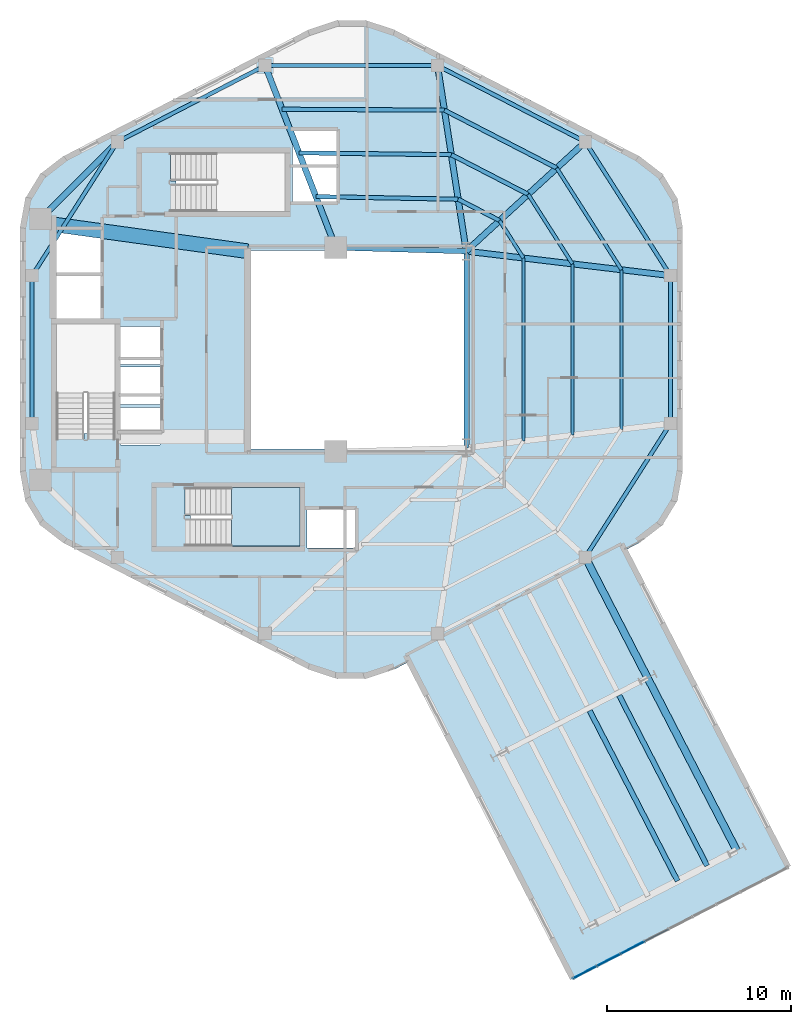
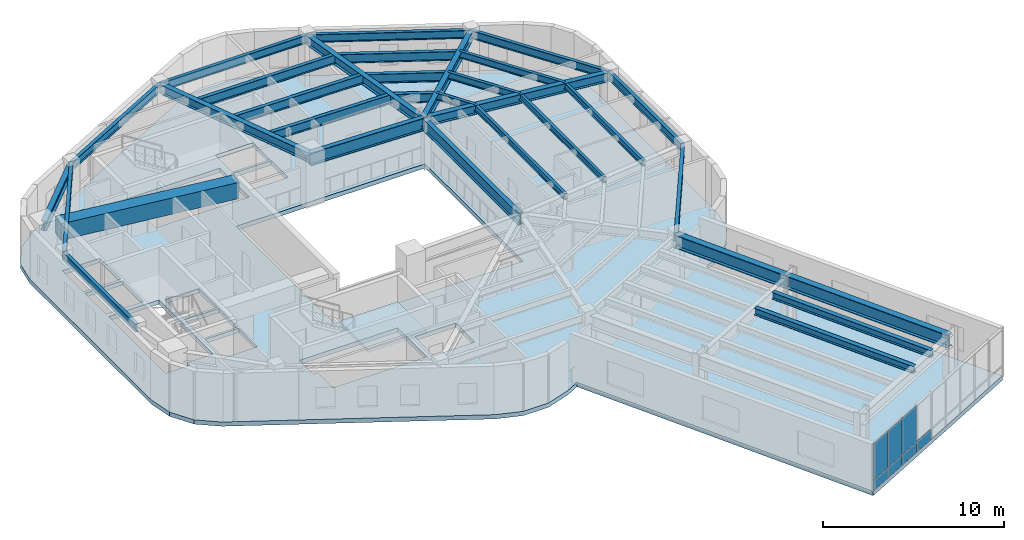
# One storey, part 5 of 10: 32 beams, 7 plates, 2 slabs, 2 elements without a shape of their own.
"""IFC4 building model written with IfcOpenShell, lengths in metres."""

from ifc_helpers import new_model, si_unit, direction, frame, origin, origin_2d, place, context, subcontext, project, spatial, polyline, rectangle, i_section, outline, extrude, material, layer, layer_set, material_profile, profile_set, type_object, element, aggregate, save


model = new_model("IFC4")

# Units and contexts
model_context = context("Model", 3, precision=1e-05, world=origin(), true_north=direction((0.0, 1.0)))
body_context = subcontext(model_context, "Body", "Model", "MODEL_VIEW")
ifc_project = project(units=[si_unit("LENGTHUNIT", "METRE"), si_unit("AREAUNIT", "SQUARE_METRE"), si_unit("VOLUMEUNIT", "CUBIC_METRE"), si_unit("PLANEANGLEUNIT", "RADIAN"), si_unit("MASSUNIT", "GRAM", prefix="KILO"), si_unit("THERMODYNAMICTEMPERATUREUNIT", "KELVIN"), si_unit("POWERUNIT", "WATT")], contexts=[model_context])

# Site, building, storey
site_placement = place(None, origin())
site = spatial("IfcSite", under=ifc_project, at=site_placement, CompositionType="ELEMENT")
building_placement = place(site_placement, origin())
building = spatial("IfcBuilding", under=site, at=building_placement, Name="Skarre Station Tower", CompositionType="ELEMENT")
storey_placement = place(building_placement, frame((0.0, 0.0, 234.800048828125)))
storey = spatial("IfcBuildingStorey", under=building, at=storey_placement, Name="L64", CompositionType="ELEMENT", Elevation=234.800048828125)

# Beams
ifc_material_1 = material(Name="Concrete C70/85", Category="concrete")
ifc_material_profile_1 = material_profile(ifc_material_1, rectangle(XDim=0.800048828125, YDim=1.10009765625, at=origin_2d()), Name="Concrete C70/85")
ifc_profile_set_1 = profile_set([ifc_material_profile_1], Name="Concrete C70/85")
beam_type_1 = type_object("IfcBeamType", Name="RC Core Coupling Lintel 800x1100", PredefinedType="LINTEL", material=ifc_profile_set_1)
beam_1_placement = place(storey_placement, frame((17.050048828125, 30.800048828125, 2.7099609375), z_axis=(0.990599723633, -0.136792498109, 0.0), x_axis=(0.136792498109, 0.990599723633, 0.0)))
element("IfcBeam", 1, at=beam_1_placement, inside=storey, type_object=beam_type_1, Name="L64 North Core Coupling Lintel", PredefinedType="LINTEL", context=body_context, shape_type="SweptSolid", body=[
    extrude(rectangle(XDim=0.800048828125, YDim=1.10009765625, at=origin_2d()), origin(), (0.0, 0.0, 1.0), 10.599609375),
])
ifc_material_2 = material(Name="Steel ASTM A992 Grade 50", Category="steel")
ifc_material_profile_2 = material_profile(ifc_material_2, i_section(OverallWidth=0.323974609375, OverallDepth=0.611083984375, WebThickness=0.012939453125, FlangeThickness=0.01904296875, at=origin_2d()), Name="Steel ASTM A992 Grade 50")
ifc_profile_set_2 = profile_set([ifc_material_profile_2], Name="Steel ASTM A992 Grade 50")
beam_type_2 = type_object("IfcBeamType", Name="Steel Beam W24X104", PredefinedType="BEAM", material=ifc_profile_set_2)
beam_2_placement = place(storey_placement, frame((39.449951171875, 29.35009765625, 2.954833984375), z_axis=(0.736547671183, 0.676385635621, 0.0), x_axis=(-0.676385635621, 0.736547671183, 0.0)))
element("IfcBeam", 2, at=beam_2_placement, inside=storey, type_object=beam_type_2, Name="L64 Radial Floor Girder F0C1", PredefinedType="BEAM", context=body_context, shape_type="SweptSolid", body=[
    extrude(i_section(OverallWidth=0.323974609375, OverallDepth=0.611083984375, WebThickness=0.012939453125, FlangeThickness=0.01904296875, at=origin_2d()), origin(), (0.0, 0.0, 1.0), 8.793701171875),
])
beam_3_placement = place(storey_placement, frame((39.449951171875, 29.35009765625, 2.954833984375), z_axis=(-0.152789762931, 0.988258715288, 0.0), x_axis=(-0.988258715288, -0.152789762931, 0.0)))
element("IfcBeam", 3, at=beam_3_placement, inside=storey, type_object=beam_type_2, Name="L64 Radial Floor Girder F0C2", PredefinedType="BEAM", context=body_context, shape_type="SweptSolid", body=[
    extrude(i_section(OverallWidth=0.323974609375, OverallDepth=0.611083984375, WebThickness=0.012939453125, FlangeThickness=0.01904296875, at=origin_2d()), origin(), (0.0, 0.0, 1.0), 10.216796875),
])
beam_4_placement = place(storey_placement, frame((32.35009765625, 29.550048828125, 2.954833984375), z_axis=(-0.361651478681, 0.932313363611, 0.0), x_axis=(-0.932313363611, -0.361651478681, 0.0)))
element("IfcBeam", 4, at=beam_4_placement, inside=storey, type_object=beam_type_2, Name="L64 Radial Floor Girder F1C1", PredefinedType="BEAM", context=body_context, shape_type="SweptSolid", body=[
    extrude(i_section(OverallWidth=0.323974609375, OverallDepth=0.611083984375, WebThickness=0.012939453125, FlangeThickness=0.01904296875, at=origin_2d()), origin(), (0.0, 0.0, 1.0), 10.615478515625),
])
beam_5_placement = place(storey_placement, frame((16.300048828125, 31.10009765625, 2.954833984375), z_axis=(0.704979413242, 0.709227768002, 0.0), x_axis=(-0.709227768002, 0.704979413242, 0.0)))
element("IfcBeam", 5, at=beam_5_placement, inside=storey, type_object=beam_type_2, Name="L64 Radial Floor Girder F1C2", PredefinedType="BEAM", context=body_context, shape_type="SweptSolid", body=[
    extrude(i_section(OverallWidth=0.323974609375, OverallDepth=0.611083984375, WebThickness=0.012939453125, FlangeThickness=0.01904296875, at=origin_2d()), origin(), (0.0, 0.0, 1.0), 5.919189453125),
])
beam_6_placement = place(storey_placement, frame((39.449951171875, 29.35009765625, 2.954833984375), z_axis=(0.99292393128, -0.118752122891, 0.0), x_axis=(0.118752122891, 0.99292393128, 0.0)))
element("IfcBeam", 6, at=beam_6_placement, inside=storey, type_object=beam_type_2, Name="L64 Radial Floor Girder F5C2", PredefinedType="BEAM", context=body_context, shape_type="SweptSolid", body=[
    extrude(i_section(OverallWidth=0.323974609375, OverallDepth=0.611083984375, WebThickness=0.012939453125, FlangeThickness=0.01904296875, at=origin_2d()), origin(), (0.0, 0.0, 1.0), 11.192138671875),
])
ifc_material_profile_3 = material_profile(ifc_material_2, i_section(OverallWidth=0.26806640625, OverallDepth=0.77001953125, WebThickness=0.01611328125, FlangeThickness=0.02490234375, at=origin_2d()), Name="Steel ASTM A992 Grade 50")
ifc_profile_set_3 = profile_set([ifc_material_profile_3], Name="Steel ASTM A992 Grade 50")
beam_type_3 = type_object("IfcBeamType", Name="Steel Beam W30X132", PredefinedType="BEAM", material=ifc_profile_set_3)
beam_7_placement = place(storey_placement, frame((39.449951171875, 18.64990234375, 2.875), z_axis=(0.0, 1.0, 0.0), x_axis=(-1.0, 0.0, 0.0)))
element("IfcBeam", 7, at=beam_7_placement, inside=storey, type_object=beam_type_3, Name="L64 Atrium East Edge Girder", PredefinedType="BEAM", context=body_context, shape_type="SweptSolid", body=[
    extrude(i_section(OverallWidth=0.26806640625, OverallDepth=0.77001953125, WebThickness=0.01611328125, FlangeThickness=0.02490234375, at=origin_2d()), origin(), (0.0, 0.0, 1.0), 10.7001953125),
])
ifc_material_profile_4 = material_profile(ifc_material_2, i_section(OverallWidth=0.2919921875, OverallDepth=0.85888671875, WebThickness=0.01708984375, FlangeThickness=0.031005859375, at=origin_2d()), Name="Steel ASTM A992 Grade 50")
ifc_profile_set_4 = profile_set([ifc_material_profile_4], Name="Steel ASTM A992 Grade 50")
beam_type_4 = type_object("IfcBeamType", Name="Steel Beam W33X169", PredefinedType="BEAM", material=ifc_profile_set_4)
beam_8_placement = place(storey_placement, frame((32.35009765625, 29.550048828125, 2.8310546875), z_axis=(0.999603666405, -0.028151556095, 0.0), x_axis=(0.028151556095, 0.999603666405, 0.0)))
element("IfcBeam", 8, at=beam_8_placement, inside=storey, type_object=beam_type_4, Name="L64 Atrium North Edge Girder", PredefinedType="BEAM", context=body_context, shape_type="SweptSolid", body=[
    extrude(i_section(OverallWidth=0.2919921875, OverallDepth=0.85888671875, WebThickness=0.01708984375, FlangeThickness=0.031005859375, at=origin_2d()), origin(), (0.0, 0.0, 1.0), 7.102783203125),
])
ifc_material_profile_5 = material_profile(ifc_material_2, i_section(OverallWidth=0.40087890625, OverallDepth=0.876953125, WebThickness=0.02197265625, FlangeThickness=0.0400390625, at=origin_2d()), Name="Steel ASTM A992 Grade 50")
ifc_profile_set_5 = profile_set([ifc_material_profile_5], Name="Steel ASTM A992 Grade 50")
beam_type_5 = type_object("IfcBeamType", Name="Steel Beam W33X263", PredefinedType="BEAM", material=ifc_profile_set_5)
beam_9_placement = place(storey_placement, frame((45.927001953125, 12.701904296875, 2.821044921875), z_axis=(0.45867578355, -0.888603694334, 0.0), x_axis=(0.888603694334, 0.45867578355, 0.0)))
element("IfcBeam", 9, at=beam_9_placement, inside=storey, type_object=beam_type_5, Name="L64 SB-5 Side 2 Inner Girder", PredefinedType="BEAM", context=body_context, shape_type="SweptSolid", body=[
    extrude(i_section(OverallWidth=0.40087890625, OverallDepth=0.876953125, WebThickness=0.02197265625, FlangeThickness=0.0400390625, at=origin_2d()), origin(), (0.0, 0.0, 1.0), 7.3798828125),
])
beam_10_placement = place(storey_placement, frame((49.31201171875, 6.14404296875, 2.821044921875), z_axis=(0.458743525652, -0.888568724226, 0.0), x_axis=(0.888568724226, 0.458743525652, 0.0)))
element("IfcBeam", 10, at=beam_10_placement, inside=storey, type_object=beam_type_5, Name="L64 SB-5 Side 2 Outer Girder", PredefinedType="BEAM", context=body_context, shape_type="SweptSolid", body=[
    extrude(i_section(OverallWidth=0.40087890625, OverallDepth=0.876953125, WebThickness=0.02197265625, FlangeThickness=0.0400390625, at=origin_2d()), origin(), (0.0, 0.0, 1.0), 10.56982421875),
])
ifc_material_profile_6 = material_profile(ifc_material_2, i_section(OverallWidth=0.177978515625, OverallDepth=0.403076171875, WebThickness=0.008056640625, FlangeThickness=0.010986328125, at=origin_2d()), Name="Steel ASTM A992 Grade 50")
ifc_profile_set_6 = profile_set([ifc_material_profile_6], Name="Steel ASTM A992 Grade 50")
beam_type_6 = type_object("IfcBeamType", Name="Steel Joist W16X36", PredefinedType="JOIST", material=ifc_profile_set_6)
beam_11_placement = place(storey_placement, frame((42.56201171875, 19.02197265625, 3.057861328125), z_axis=(0.0, 1.0, 0.0), x_axis=(-1.0, 0.0, 0.0)))
element("IfcBeam", 11, at=beam_11_placement, inside=storey, type_object=beam_type_6, Name="L64 Auxiliary Composite Joist 21", PredefinedType="JOIST", context=body_context, shape_type="SweptSolid", body=[
    extrude(i_section(OverallWidth=0.177978515625, OverallDepth=0.403076171875, WebThickness=0.008056640625, FlangeThickness=0.010986328125, at=origin_2d()), origin(), (0.0, 0.0, 1.0), 9.9560546875),
])
beam_12_placement = place(storey_placement, frame((45.22900390625, 19.341064453125, 3.057861328125), z_axis=(0.0, 1.0, 0.0), x_axis=(-1.0, 0.0, 0.0)))
element("IfcBeam", 12, at=beam_12_placement, inside=storey, type_object=beam_type_6, Name="L64 Auxiliary Composite Joist 22", PredefinedType="JOIST", context=body_context, shape_type="SweptSolid", body=[
    extrude(i_section(OverallWidth=0.177978515625, OverallDepth=0.403076171875, WebThickness=0.008056640625, FlangeThickness=0.010986328125, at=origin_2d()), origin(), (0.0, 0.0, 1.0), 9.31787109375),
])
beam_13_placement = place(storey_placement, frame((47.89599609375, 19.659912109375, 3.057861328125), z_axis=(0.0, 1.0, 0.0), x_axis=(-1.0, 0.0, 0.0)))
element("IfcBeam", 13, at=beam_13_placement, inside=storey, type_object=beam_type_6, Name="L64 Auxiliary Composite Joist 23", PredefinedType="JOIST", context=body_context, shape_type="SweptSolid", body=[
    extrude(i_section(OverallWidth=0.177978515625, OverallDepth=0.403076171875, WebThickness=0.008056640625, FlangeThickness=0.010986328125, at=origin_2d()), origin(), (0.0, 0.0, 1.0), 8.68017578125),
])
ifc_material_profile_7 = material_profile(ifc_material_2, i_section(OverallWidth=0.19091796875, OverallDepth=0.45703125, WebThickness=0.009033203125, FlangeThickness=0.013916015625, at=origin_2d()), Name="Steel ASTM A992 Grade 50")
ifc_profile_set_7 = profile_set([ifc_material_profile_7], Name="Steel ASTM A992 Grade 50")
beam_type_7 = type_object("IfcBeamType", Name="Steel Joist W18X50", PredefinedType="JOIST", material=ifc_profile_set_7)
beam_14_placement = place(storey_placement, frame((42.56201171875, 28.97802734375, 3.031982421875), z_axis=(-0.537437848622, 0.843303361116, 0.0), x_axis=(-0.843303361116, -0.537437848622, 0.0)))
element("IfcBeam", 14, at=beam_14_placement, inside=storey, type_object=beam_type_7, Name="L64 Auxiliary Composite Joist 24", PredefinedType="JOIST", context=body_context, shape_type="SweptSolid", body=[
    extrude(i_section(OverallWidth=0.19091796875, OverallDepth=0.45703125, WebThickness=0.009033203125, FlangeThickness=0.013916015625, at=origin_2d()), origin(), (0.0, 0.0, 1.0), 2.415283203125),
])
beam_15_placement = place(storey_placement, frame((45.22900390625, 28.658935546875, 3.031982421875), z_axis=(-0.53731551376, 0.843381312737, 0.0), x_axis=(-0.843381312737, -0.53731551376, 0.0)))
element("IfcBeam", 15, at=beam_15_placement, inside=storey, type_object=beam_type_7, Name="L64 Auxiliary Composite Joist 25", PredefinedType="JOIST", context=body_context, shape_type="SweptSolid", body=[
    extrude(i_section(OverallWidth=0.19091796875, OverallDepth=0.45703125, WebThickness=0.009033203125, FlangeThickness=0.013916015625, at=origin_2d()), origin(), (0.0, 0.0, 1.0), 4.48681640625),
])
beam_16_placement = place(storey_placement, frame((47.89599609375, 28.340087890625, 3.031982421875), z_axis=(-0.537292232804, 0.843396144507, 0.0), x_axis=(-0.843396144507, -0.537292232804, 0.0)))
element("IfcBeam", 16, at=beam_16_placement, inside=storey, type_object=beam_type_7, Name="L64 Auxiliary Composite Joist 26", PredefinedType="JOIST", context=body_context, shape_type="SweptSolid", body=[
    extrude(i_section(OverallWidth=0.19091796875, OverallDepth=0.45703125, WebThickness=0.009033203125, FlangeThickness=0.013916015625, at=origin_2d()), origin(), (0.0, 0.0, 1.0), 6.556884765625),
])
ifc_material_profile_8 = material_profile(ifc_material_2, i_section(OverallWidth=0.280029296875, OverallDepth=0.462890625, WebThickness=0.010986328125, FlangeThickness=0.01708984375, at=origin_2d()), Name="Steel ASTM A992 Grade 50")
ifc_profile_set_8 = profile_set([ifc_material_profile_8], Name="Steel ASTM A992 Grade 50")
beam_type_8 = type_object("IfcBeamType", Name="Steel Joist W18X76", PredefinedType="JOIST", material=ifc_profile_set_8)
for number, where, z_axis, x_axis, name in (
    (17, (46.1630859375, 4.35595703125, 3.02783203125), (0.458762809961, -0.888558768004, 0.0), (0.888558768004, 0.458762809961, 0.0), "L64 SB-5 Outer Deck Joist 3"),
    (18, (47.77001953125, 5.18603515625, 3.02783203125), (0.458762809961, -0.888558768004, 0.0), (0.888558768004, 0.458762809961, 0.0), "L64 SB-5 Outer Deck Joist 4"),
):
    element("IfcBeam", number, at=place(storey_placement, frame(where, z_axis=z_axis, x_axis=x_axis)), inside=storey, type_object=beam_type_8, Name=name, PredefinedType="JOIST", context=body_context, shape_type="SweptSolid", body=[
        extrude(i_section(OverallWidth=0.280029296875, OverallDepth=0.462890625, WebThickness=0.010986328125, FlangeThickness=0.01708984375, at=origin_2d()), origin(), (0.0, 0.0, 1.0), 10.42578125),
    ])
ifc_material_profile_9 = material_profile(ifc_material_2, i_section(OverallWidth=0.22802734375, OverallDepth=0.60791015625, WebThickness=0.010986328125, FlangeThickness=0.01708984375, at=origin_2d()), Name="Steel ASTM A992 Grade 50")
ifc_profile_set_9 = profile_set([ifc_material_profile_9], Name="Steel ASTM A992 Grade 50")
beam_type_9 = type_object("IfcBeamType", Name="Steel Joist W24X76", PredefinedType="JOIST", material=ifc_profile_set_9)
beam_17_placement = place(storey_placement, frame((41.263916015625, 31.014892578125, 2.9560546875), z_axis=(-0.888569970054, 0.458741112522, 0.0), x_axis=(-0.458741112522, -0.888569970054, 0.0)))
element("IfcBeam", 19, at=beam_17_placement, inside=storey, type_object=beam_type_9, Name="L64 Secondary Floor Joist 1", PredefinedType="JOIST", context=body_context, shape_type="SweptSolid", body=[
    extrude(i_section(OverallWidth=0.22802734375, OverallDepth=0.60791015625, WebThickness=0.010986328125, FlangeThickness=0.01708984375, at=origin_2d()), origin(), (0.0, 0.0, 1.0), 2.533203125),
])
beam_18_placement = place(storey_placement, frame((42.818115234375, 32.443115234375, 2.9560546875), z_axis=(-0.88866637077, 0.458554338614, 0.0), x_axis=(-0.458554338614, -0.88866637077, 0.0)))
element("IfcBeam", 20, at=beam_18_placement, inside=storey, type_object=beam_type_9, Name="L64 Secondary Floor Joist 2", PredefinedType="JOIST", context=body_context, shape_type="SweptSolid", body=[
    extrude(i_section(OverallWidth=0.22802734375, OverallDepth=0.60791015625, WebThickness=0.010986328125, FlangeThickness=0.01708984375, at=origin_2d()), origin(), (0.0, 0.0, 1.0), 4.703857421875),
])
beam_19_placement = place(storey_placement, frame((44.373046875, 33.8701171875, 2.9560546875), z_axis=(-0.888578636, 0.458724326414, 0.0), x_axis=(-0.458724326414, -0.888578636, 0.0)))
element("IfcBeam", 21, at=beam_19_placement, inside=storey, type_object=beam_type_9, Name="L64 Secondary Floor Joist 3", PredefinedType="JOIST", context=body_context, shape_type="SweptSolid", body=[
    extrude(i_section(OverallWidth=0.22802734375, OverallDepth=0.60791015625, WebThickness=0.010986328125, FlangeThickness=0.01708984375, at=origin_2d()), origin(), (0.0, 0.0, 1.0), 6.875244140625),
])
beam_20_placement = place(storey_placement, frame((39.012939453125, 32.177001953125, 2.9560546875), z_axis=(-0.999826787326, 0.018611699149, 0.0), x_axis=(-0.018611699149, -0.999826787326, 0.0)))
element("IfcBeam", 22, at=beam_20_placement, inside=storey, type_object=beam_type_9, Name="L64 Secondary Floor Joist 4", PredefinedType="JOIST", context=body_context, shape_type="SweptSolid", body=[
    extrude(i_section(OverallWidth=0.22802734375, OverallDepth=0.60791015625, WebThickness=0.010986328125, FlangeThickness=0.01708984375, at=origin_2d()), origin(), (0.0, 0.0, 1.0), 7.7392578125),
])
beam_21_placement = place(storey_placement, frame((38.637939453125, 34.60009765625, 2.9560546875), z_axis=(-0.999932931577, 0.011581552035, 0.0), x_axis=(-0.011581552035, -0.999932931577, 0.0)))
element("IfcBeam", 23, at=beam_21_placement, inside=storey, type_object=beam_type_9, Name="L64 Secondary Floor Joist 5", PredefinedType="JOIST", context=body_context, shape_type="SweptSolid", body=[
    extrude(i_section(OverallWidth=0.22802734375, OverallDepth=0.60791015625, WebThickness=0.010986328125, FlangeThickness=0.01708984375, at=origin_2d()), origin(), (0.0, 0.0, 1.0), 8.284423828125),
])
beam_22_placement = place(storey_placement, frame((38.263916015625, 37.02392578125, 2.9560546875), z_axis=(-0.999985173054, 0.005445518551, 0.0), x_axis=(-0.005445518551, -0.999985173054, 0.0)))
element("IfcBeam", 24, at=beam_22_placement, inside=storey, type_object=beam_type_9, Name="L64 Secondary Floor Joist 6", PredefinedType="JOIST", context=body_context, shape_type="SweptSolid", body=[
    extrude(i_section(OverallWidth=0.22802734375, OverallDepth=0.60791015625, WebThickness=0.010986328125, FlangeThickness=0.01708984375, at=origin_2d()), origin(), (0.0, 0.0, 1.0), 8.832275390625),
])
ifc_material_profile_10 = material_profile(ifc_material_2, i_section(OverallWidth=0.214111328125, OverallDepth=0.549072265625, WebThickness=0.014892578125, FlangeThickness=0.02392578125, at=origin_2d()), Name="Steel ASTM A992 Grade 50")
ifc_profile_set_10 = profile_set([ifc_material_profile_10], Name="Steel ASTM A992 Grade 50")
beam_type_10 = type_object("IfcBeamType", Name="Steel Spandrel W21X93", PredefinedType="SPANDREL", material=ifc_profile_set_10)
beam_23_placement = place(storey_placement, frame((45.927001953125, 35.298095703125, 2.98583984375), z_axis=(-0.888610011727, 0.458663544505, 0.0), x_axis=(-0.458663544505, -0.888610011727, 0.0)))
element("IfcBeam", 25, at=beam_23_placement, inside=storey, type_object=beam_type_10, Name="L64 Facet Spandrel Beam 1", PredefinedType="SPANDREL", context=body_context, shape_type="SweptSolid", body=[
    extrude(i_section(OverallWidth=0.214111328125, OverallDepth=0.549072265625, WebThickness=0.014892578125, FlangeThickness=0.02392578125, at=origin_2d()), origin(), (0.0, 0.0, 1.0), 9.045654296875),
])
beam_24_placement = place(storey_placement, frame((37.888916015625, 39.447021484375, 2.98583984375), z_axis=(-1.0, 0.0, 0.0), x_axis=(0.0, -1.0, 0.0)))
element("IfcBeam", 26, at=beam_24_placement, inside=storey, type_object=beam_type_10, Name="L64 Facet Spandrel Beam 2", PredefinedType="SPANDREL", context=body_context, shape_type="SweptSolid", body=[
    extrude(i_section(OverallWidth=0.214111328125, OverallDepth=0.549072265625, WebThickness=0.014892578125, FlangeThickness=0.02392578125, at=origin_2d()), origin(), (0.0, 0.0, 1.0), 9.3779296875),
])
beam_25_placement = place(storey_placement, frame((28.510986328125, 39.447021484375, 2.98583984375), z_axis=(-0.888610011727, -0.458663544505, 0.0), x_axis=(0.458663544505, -0.888610011727, 0.0)))
element("IfcBeam", 27, at=beam_25_placement, inside=storey, type_object=beam_type_10, Name="L64 Facet Spandrel Beam 3", PredefinedType="SPANDREL", context=body_context, shape_type="SweptSolid", body=[
    extrude(i_section(OverallWidth=0.214111328125, OverallDepth=0.549072265625, WebThickness=0.014892578125, FlangeThickness=0.02392578125, at=origin_2d()), origin(), (0.0, 0.0, 1.0), 9.045654296875),
])
beam_26_placement = place(storey_placement, frame((20.472900390625, 35.298095703125, 2.98583984375), z_axis=(-0.537296523663, -0.843393410965, 0.0), x_axis=(0.843393410965, -0.537296523663, 0.0)))
element("IfcBeam", 28, at=beam_26_placement, inside=storey, type_object=beam_type_10, Name="L64 Facet Spandrel Beam 4", PredefinedType="SPANDREL", context=body_context, shape_type="SweptSolid", body=[
    extrude(i_section(OverallWidth=0.214111328125, OverallDepth=0.549072265625, WebThickness=0.014892578125, FlangeThickness=0.02392578125, at=origin_2d()), origin(), (0.0, 0.0, 1.0), 8.62841796875),
])
beam_27_placement = place(storey_placement, frame((15.8369140625, 28.02099609375, 2.98583984375), z_axis=(0.0, -1.0, 0.0), x_axis=(1.0, 0.0, 0.0)))
element("IfcBeam", 29, at=beam_27_placement, inside=storey, type_object=beam_type_10, Name="L64 Facet Spandrel Beam 5", PredefinedType="SPANDREL", context=body_context, shape_type="SweptSolid", body=[
    extrude(i_section(OverallWidth=0.214111328125, OverallDepth=0.549072265625, WebThickness=0.014892578125, FlangeThickness=0.02392578125, at=origin_2d()), origin(), (0.0, 0.0, 1.0), 8.0419921875),
])
beam_28_placement = place(storey_placement, frame((45.927001953125, 12.701904296875, 2.98583984375), z_axis=(0.537296523663, 0.843393410965, 0.0), x_axis=(-0.843393410965, 0.537296523663, 0.0)))
element("IfcBeam", 30, at=beam_28_placement, inside=storey, type_object=beam_type_10, Name="L64 Facet Spandrel Beam 10", PredefinedType="SPANDREL", context=body_context, shape_type="SweptSolid", body=[
    extrude(i_section(OverallWidth=0.214111328125, OverallDepth=0.549072265625, WebThickness=0.014892578125, FlangeThickness=0.02392578125, at=origin_2d()), origin(), (0.0, 0.0, 1.0), 8.62841796875),
])
beam_29_placement = place(storey_placement, frame((50.56298828125, 19.97900390625, 2.98583984375), z_axis=(0.0, 1.0, 0.0), x_axis=(-1.0, 0.0, 0.0)))
element("IfcBeam", 31, at=beam_29_placement, inside=storey, type_object=beam_type_10, Name="L64 Facet Spandrel Beam 11", PredefinedType="SPANDREL", context=body_context, shape_type="SweptSolid", body=[
    extrude(i_section(OverallWidth=0.214111328125, OverallDepth=0.549072265625, WebThickness=0.014892578125, FlangeThickness=0.02392578125, at=origin_2d()), origin(), (0.0, 0.0, 1.0), 8.0419921875),
])
beam_30_placement = place(storey_placement, frame((50.56298828125, 28.02099609375, 2.98583984375), z_axis=(-0.537296523663, 0.843393410965, 0.0), x_axis=(-0.843393410965, -0.537296523663, 0.0)))
element("IfcBeam", 32, at=beam_30_placement, inside=storey, type_object=beam_type_10, Name="L64 Facet Spandrel Beam 12", PredefinedType="SPANDREL", context=body_context, shape_type="SweptSolid", body=[
    extrude(i_section(OverallWidth=0.214111328125, OverallDepth=0.549072265625, WebThickness=0.014892578125, FlangeThickness=0.02392578125, at=origin_2d()), origin(), (0.0, 0.0, 1.0), 8.62841796875),
])

# Curtain wall, plates
ifc_material_3 = material(Name="Thermally Broken Bronze-Anodized Aluminium & Triple Low-E Glass", Category="aluminium")
ifc_layer_1 = layer(ifc_material_3, 0.2099609375, Name="Thermally Broken Bronze-Anodized Aluminium & Triple Low-E Glass")
ifc_layer_set_1 = layer_set([ifc_layer_1], Name="Thermally Broken Bronze-Anodized Aluminium & Triple Low-E Glass")
curtain_wall_type = type_object("IfcCurtainWallType", Name="Sky-Bar Prow Structural Glazed Curtain Wall", PredefinedType="NOTDEFINED", material=ifc_layer_set_1)
curtain_wall_placement = place(storey_placement, origin())
curtain_wall = element("IfcCurtainWall", 33, at=curtain_wall_placement, inside=storey, type_object=curtain_wall_type, Name="L64 SB-5 Lakefront Prow Curtain Wall", PredefinedType="NOTDEFINED")
ifc_material_4 = material(Name="Insulated Bronze Anodized Aluminium Spandrel", Category="aluminium")
ifc_layer_2 = layer(ifc_material_4, 0.052001953125, Name="Insulated Bronze Anodized Aluminium Spandrel")
ifc_layer_set_2 = layer_set([ifc_layer_2], Name="Insulated Bronze Anodized Aluminium Spandrel")
plate_type_1 = type_object("IfcPlateType", Name="Bronze Insulated Spandrel Sheet Panel 52", PredefinedType="SHEET", material=ifc_layer_set_2)
plate_1_placement = place(storey_placement, frame((49.802001953125, -7.861083984375, 0.052001953125), z_axis=(0.0, 0.0, 1.0), x_axis=(-0.888577204547, -0.45872709922, 0.0)))
plate_1 = element("IfcPlate", 34, at=plate_1_placement, type_object=plate_type_1, Name="L64 SB-5 Lakefront Prow Curtain Wall Spandrel Panel 6-1", PredefinedType="SHEET", context=body_context, shape_type="SweptSolid", body=[
    extrude(rectangle(XDim=1.443115234375, YDim=0.052001953125, at=origin_2d()), origin(), (0.0, 0.0, 1.0), 0.68603515625),
])
plate_2_placement = place(storey_placement, frame((48.4990234375, -8.533935546875, 0.052001953125), z_axis=(0.0, 0.0, 1.0), x_axis=(-0.888577204547, -0.45872709922, 0.0)))
plate_2 = element("IfcPlate", 35, at=plate_2_placement, type_object=plate_type_1, Name="L64 SB-5 Lakefront Prow Curtain Wall Spandrel Panel 7-1", PredefinedType="SHEET", context=body_context, shape_type="SweptSolid", body=[
    extrude(rectangle(XDim=1.443115234375, YDim=0.052001953125, at=origin_2d()), origin(), (0.0, 0.0, 1.0), 0.68603515625),
])
plate_3_placement = place(storey_placement, frame((47.196044921875, -9.20703125, 0.052001953125), z_axis=(0.0, 0.0, 1.0), x_axis=(-0.888577204547, -0.45872709922, 0.0)))
plate_3 = element("IfcPlate", 36, at=plate_3_placement, type_object=plate_type_1, Name="L64 SB-5 Lakefront Prow Curtain Wall Spandrel Panel 8-1", PredefinedType="SHEET", context=body_context, shape_type="SweptSolid", body=[
    extrude(rectangle(XDim=1.443115234375, YDim=0.052001953125, at=origin_2d()), origin(), (0.0, 0.0, 1.0), 0.68603515625),
])
plate_4_placement = place(storey_placement, frame((45.89306640625, -9.8798828125, 0.052001953125), z_axis=(0.0, 0.0, 1.0), x_axis=(-0.888577204547, -0.45872709922, 0.0)))
plate_4 = element("IfcPlate", 37, at=plate_4_placement, type_object=plate_type_1, Name="L64 SB-5 Lakefront Prow Curtain Wall Spandrel Panel 9-1", PredefinedType="SHEET", context=body_context, shape_type="SweptSolid", body=[
    extrude(rectangle(XDim=1.443115234375, YDim=0.052001953125, at=origin_2d()), origin(), (0.0, 0.0, 1.0), 0.68603515625),
])

# Stair, slab
ifc_material_5 = material(Name="Concrete C40/50", Category="concrete")
stair_type = type_object("IfcStairType", Name="Reinforced Concrete Exit Stair ST-2", PredefinedType="HALF_TURN_STAIR", material=ifc_material_5)
stair_placement = place(storey_placement, origin())
stair = element("IfcStair", 38, at=stair_placement, inside=storey, type_object=stair_type, Name="L64 Core Exit Stair ST-2", PredefinedType="HALF_TURN_STAIR")
ifc_layer_3 = layer(ifc_material_5, 0.219970703125, Name="Concrete C40/50")
ifc_layer_set_3 = layer_set([ifc_layer_3], Name="Concrete C40/50")
slab_type_1 = type_object("IfcSlabType", Name="Reinforced Concrete Stair & Ramp Landing 220", PredefinedType="LANDING", material=ifc_layer_set_3)
slab_1_placement = place(storey_placement, frame((0.0, 0.0, 1.574951171875)))
slab_1 = element("IfcSlab", 39, at=slab_1_placement, type_object=slab_type_1, Name="ST-2 landing 1", PredefinedType="LANDING", context=body_context, shape_type="SweptSolid", body=[
    extrude(outline(polyline([(26.669921875, 13.300048828125), (30.39990234375, 13.300048828125), (30.39990234375, 16.5), (26.669921875, 16.5), (26.669921875, 13.300048828125)])), origin(), (0.0, 0.0, 1.0), 0.199951171875),
])
aggregate(stair, [slab_1])

# Slab
ifc_material_6 = material(Name="Concrete C50/60", Category="concrete")
ifc_layer_4 = layer(ifc_material_6, 0.2900390625, Name="Concrete C50/60")
ifc_layer_set_4 = layer_set([ifc_layer_4], Name="Concrete C50/60")
slab_type_2 = type_object("IfcSlabType", Name="Sky-Bar Composite Floor Slab 290", PredefinedType="FLOOR", material=ifc_layer_set_4)
slab_2_placement = place(storey_placement, frame((0.0, 0.0, -0.2900390625)))
element("IfcSlab", 40, at=slab_2_placement, inside=storey, type_object=slab_type_2, Name="L64 Tower and SB-5 Floor Slab", PredefinedType="FLOOR", context=body_context, shape_type="SweptSolid", body=[
    extrude(outline(polyline([(48.071044921875, 13.077880859375), (48.905029296875, 13.508056640625), (50.1279296875, 14.455078125), (50.93310546875, 15.777099609375), (51.212890625, 17.298095703125), (51.212890625, 30.701904296875), (50.93310546875, 32.222900390625), (50.1279296875, 33.544921875), (48.905029296875, 34.491943359375), (35.508056640625, 41.407958984375), (33.99609375, 41.906005859375), (32.404052734375, 41.906005859375), (30.89208984375, 41.407958984375), (17.4951171875, 34.491943359375), (16.27197265625, 33.544921875), (15.467041015625, 32.222900390625), (15.18701171875, 30.701904296875), (15.18701171875, 17.298095703125), (15.467041015625, 15.777099609375), (16.27197265625, 14.455078125), (17.4951171875, 13.508056640625), (30.89208984375, 6.592041015625), (32.404052734375, 6.093994140625), (33.99609375, 6.093994140625), (35.508056640625, 6.592041015625), (36.342041015625, 7.02197265625), (45.240966796875, -10.216064453125), (56.969970703125, -4.160888671875), (48.071044921875, 13.077880859375)]), holes=[polyline([(18.669921875, 19.419921875), (18.669921875, 19.123046875), (17.14990234375, 19.123046875), (17.14990234375, 25.39990234375), (20.35009765625, 25.39990234375), (20.35009765625, 19.419921875), (18.669921875, 19.419921875)]), polyline([(24.449951171875, 14.97998046875), (24.153076171875, 14.97998046875), (24.153076171875, 16.5), (30.39990234375, 16.5), (30.39990234375, 13.300048828125), (24.449951171875, 13.300048828125), (24.449951171875, 14.97998046875)]), polyline([(23.64990234375, 33.179931640625), (23.35302734375, 33.179931640625), (23.35302734375, 34.699951171875), (29.60009765625, 34.699951171875), (29.60009765625, 31.5), (23.64990234375, 31.5), (23.64990234375, 33.179931640625)]), polyline([(17.14990234375, 28.0), (19.550048828125, 28.0), (19.550048828125, 25.699951171875), (17.14990234375, 25.699951171875), (17.14990234375, 28.0)]), polyline([(17.14990234375, 30.5), (19.550048828125, 30.5), (19.550048828125, 28.199951171875), (17.14990234375, 28.199951171875), (17.14990234375, 30.5)]), polyline([(30.800048828125, 15.300048828125), (33.39990234375, 15.300048828125), (33.39990234375, 13.199951171875), (30.800048828125, 13.199951171875), (30.800048828125, 15.300048828125)]), polyline([(20.64990234375, 20.85009765625), (22.800048828125, 20.85009765625), (22.800048828125, 18.800048828125), (20.64990234375, 18.800048828125), (20.64990234375, 20.85009765625)]), polyline([(20.64990234375, 23.050048828125), (22.800048828125, 23.050048828125), (22.800048828125, 21.0), (20.64990234375, 21.0), (20.64990234375, 23.050048828125)]), polyline([(20.64990234375, 25.25), (22.800048828125, 25.25), (22.800048828125, 23.199951171875), (20.64990234375, 23.199951171875), (20.64990234375, 25.25)]), polyline([(30.0, 33.89990234375), (32.39990234375, 33.89990234375), (32.39990234375, 32.050048828125), (30.0, 32.050048828125), (30.0, 33.89990234375)]), polyline([(30.0, 35.89990234375), (32.39990234375, 35.89990234375), (32.39990234375, 34.050048828125), (30.0, 34.050048828125), (30.0, 35.89990234375)]), polyline([(27.60009765625, 29.39990234375), (39.60009765625, 29.39990234375), (39.60009765625, 18.60009765625), (27.60009765625, 18.60009765625), (27.60009765625, 29.39990234375)])]), origin(), (0.0, 0.0, 1.0), 0.2900390625),
])

# Plate
ifc_material_7 = material(Name="Low-Iron Triple Insulating Glass Unit", Category="glass")
ifc_layer_5 = layer(ifc_material_7, 0.0439453125, Name="Low-Iron Triple Insulating Glass Unit")
ifc_layer_set_5 = layer_set([ifc_layer_5], Name="Low-Iron Triple Insulating Glass Unit")
plate_type_2 = type_object("IfcPlateType", Name="Triple-Glazed Vision Curtain Panel 44", PredefinedType="CURTAIN_PANEL", material=ifc_layer_set_5)
plate_5_placement = place(storey_placement, frame((48.4990234375, -8.533935546875, 0.76171875), z_axis=(0.0, 0.0, 1.0), x_axis=(-0.888577204547, -0.45872709922, 0.0)))
plate_5 = element("IfcPlate", 41, at=plate_5_placement, type_object=plate_type_2, Name="L64 SB-5 Lakefront Prow Curtain Wall Vision Panel 7-2", PredefinedType="CURTAIN_PANEL", context=body_context, shape_type="SweptSolid", body=[
    extrude(rectangle(XDim=1.443115234375, YDim=0.0439453125, at=origin_2d()), origin(), (0.0, 0.0, 1.0), 2.446044921875),
])

plate_6_placement = place(storey_placement, frame((47.196044921875, -9.20703125, 0.76171875), z_axis=(0.0, 0.0, 1.0), x_axis=(-0.888577204547, -0.45872709922, 0.0)))
plate_6 = element("IfcPlate", 42, at=plate_6_placement, type_object=plate_type_2, Name="L64 SB-5 Lakefront Prow Curtain Wall Vision Panel 8-2", PredefinedType="CURTAIN_PANEL", context=body_context, shape_type="SweptSolid", body=[
    extrude(rectangle(XDim=1.443115234375, YDim=0.0439453125, at=origin_2d()), origin(), (0.0, 0.0, 1.0), 2.446044921875),
])

plate_7_placement = place(storey_placement, frame((45.89306640625, -9.8798828125, 0.76171875), z_axis=(0.0, 0.0, 1.0), x_axis=(-0.888577204547, -0.45872709922, 0.0)))
plate_7 = element("IfcPlate", 43, at=plate_7_placement, type_object=plate_type_2, Name="L64 SB-5 Lakefront Prow Curtain Wall Vision Panel 9-2", PredefinedType="CURTAIN_PANEL", context=body_context, shape_type="SweptSolid", body=[
    extrude(rectangle(XDim=1.443115234375, YDim=0.0439453125, at=origin_2d()), origin(), (0.0, 0.0, 1.0), 2.446044921875),
])

aggregate(curtain_wall, [plate_1, plate_2, plate_5, plate_3, plate_6, plate_4, plate_7])

save(model, "model.ifc")
